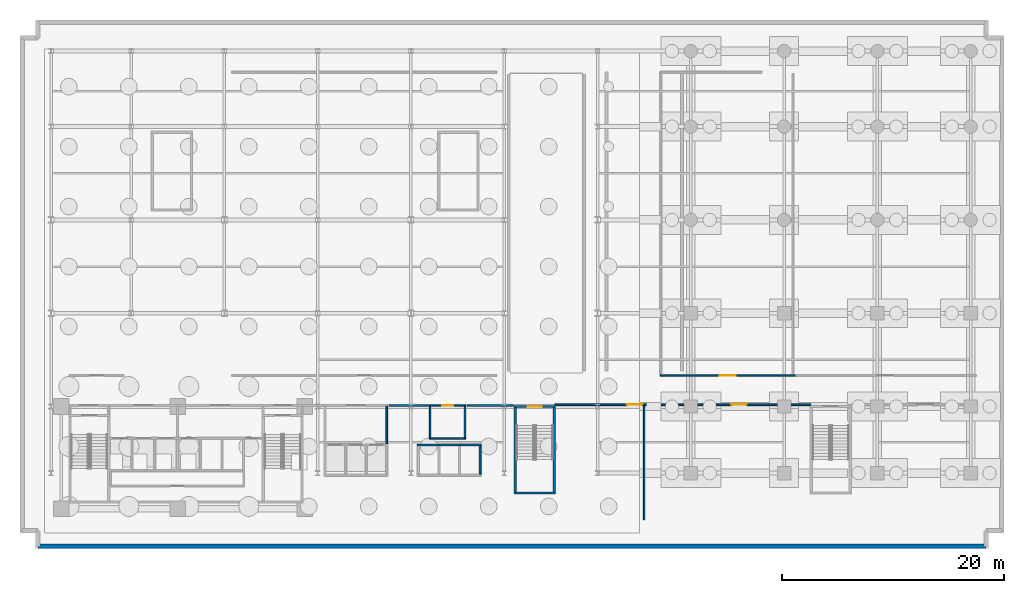
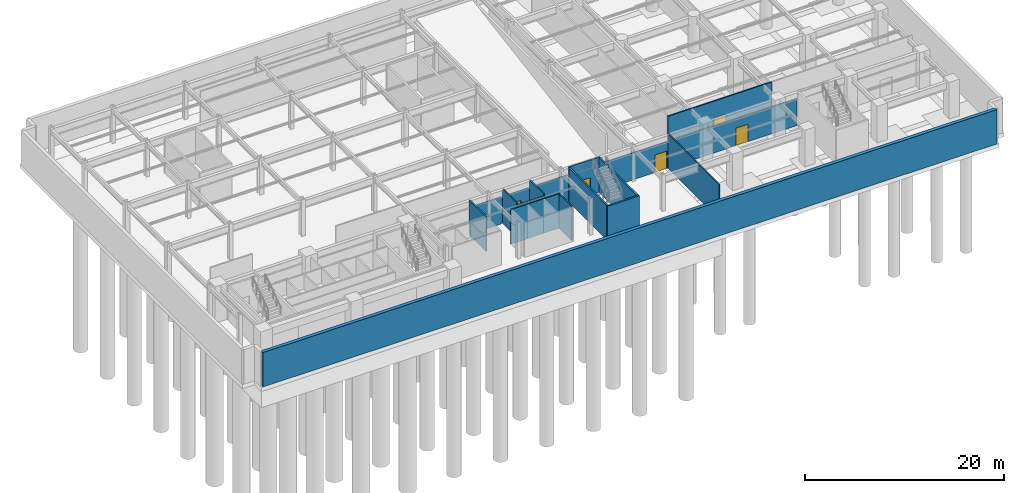
# One storey, part 10 of 14: 20 walls, 5 doors, 5 openings.
"""IFC4 building model written with IfcOpenShell, lengths in metres."""

from ifc_helpers import new_model, si_unit, direction, frame, frame_2d, origin, place, context, subcontext, project, spatial, rectangle, extrude, material, layer, layer_set, type_object, element, fill, save


model = new_model("IFC4")

# Units and contexts
model_context = context("Model", 3, precision=1e-05, world=origin(), true_north=direction((0.0, 1.0)))
body_context = subcontext(model_context, "Body", "Model", "MODEL_VIEW")
ifc_project = project(units=[si_unit("LENGTHUNIT", "METRE"), si_unit("AREAUNIT", "SQUARE_METRE"), si_unit("VOLUMEUNIT", "CUBIC_METRE"), si_unit("PLANEANGLEUNIT", "RADIAN"), si_unit("MASSUNIT", "GRAM", prefix="KILO")], contexts=[model_context])

# Site, building, storey
site_placement = place(None, origin())
site = spatial("IfcSite", under=ifc_project, at=site_placement, CompositionType="ELEMENT")
building_placement = place(site_placement, origin())
building = spatial("IfcBuilding", under=site, at=building_placement, Name="Varnakote Quay Hospital", CompositionType="ELEMENT")
storey_placement = place(building_placement, frame((0.0, 0.0, -9.0)))
storey = spatial("IfcBuildingStorey", under=building, at=storey_placement, Name="B02", CompositionType="ELEMENT", Elevation=-9.0)

# Walls
ifc_material_1 = material(Name="Concrete N40 (f'c 40 MPa)", Category="concrete")
ifc_layer_1 = layer(ifc_material_1, 0.39990234375)
ifc_layer_set_1 = layer_set([ifc_layer_1], Name="Concrete N40 (f'c 40 MPa)")
wall_type_1 = type_object("IfcWallType", Name="WL-BSMT-RET-400", PredefinedType="STANDARD", material=ifc_layer_set_1)
wall_1_placement = place(storey_placement, frame((0.0, -0.60009765625, 0.0), z_axis=(0.0, 0.0, 1.0), x_axis=(1.0, 0.0, 0.0)))
element("IfcWall", 1, at=wall_1_placement, inside=storey, type_object=wall_type_1, Name="B02 Tanked Basement Retaining Wall", PredefinedType="STANDARD", context=body_context, shape_type="SweptSolid", body=[
    extrude(rectangle(XDim=85.39990234375, YDim=0.39990234375, at=frame_2d((42.699951171875, 0.0))), origin(), (0.0, 0.0, 1.0), 4.239990234375),
])
ifc_material_2 = material(Name="Fire-rated acoustic gypsum stud wall", Category="gypsum")
ifc_layer_2 = layer(ifc_material_2, 0.159912109375)
ifc_layer_set_2 = layer_set([ifc_layer_2], Name="Fire-rated acoustic gypsum stud wall")
wall_type_2 = type_object("IfcWallType", Name="WL-COMP-160", PredefinedType="PARTITIONING", material=ifc_layer_set_2)
wall_2_placement = place(storey_placement, frame((31.429931640625, 8.610107421875, 0.0), z_axis=(0.0, 0.0, 1.0), x_axis=(0.0, 1.0, 0.0)))
element("IfcWall", 2, at=wall_2_placement, inside=storey, type_object=wall_type_2, Name="B02 Low-Rise Lift Lobby East Wall", PredefinedType="PARTITIONING", context=body_context, shape_type="SweptSolid", body=[
    extrude(rectangle(XDim=3.389892578125, YDim=0.159912109375, at=frame_2d((1.69482421875, 0.0))), origin(), (0.0, 0.0, 1.0), 4.239990234375),
])
wall_3_placement = place(storey_placement, frame((31.6298828125, 12.080078125, 0.0), z_axis=(0.0, 0.0, 1.0), x_axis=(1.0, 0.0, 0.0)))
element("IfcWall", 3, at=wall_3_placement, inside=storey, type_object=wall_type_2, Name="B02 Corridor South Gap Wall", PredefinedType="PARTITIONING", context=body_context, shape_type="SweptSolid", body=[
    extrude(rectangle(XDim=3.510498046875, YDim=0.159912109375, at=frame_2d((1.75537109375, 0.0))), origin(), (0.0, 0.0, 1.0), 3.304931640625),
])
wall_4_placement = place(storey_placement, frame((38.659423828125, 12.080078125, 0.0), z_axis=(0.0, 0.0, 1.0), x_axis=(1.0, 0.0, 0.0)))
element("IfcWall", 4, at=wall_4_placement, inside=storey, type_object=wall_type_2, Name="B02 Corridor South Gap Wall", PredefinedType="PARTITIONING", context=body_context, shape_type="SweptSolid", body=[
    extrude(rectangle(XDim=4.1513671875, YDim=0.159912109375, at=frame_2d((2.07568359375, 0.0))), origin(), (0.0, 0.0, 1.0), 3.304931640625),
])
ifc_material_3 = material(Name="Concrete N50 (f'c 50 MPa)", Category="concrete")
ifc_layer_3 = layer(ifc_material_3, 0.159912109375)
ifc_layer_set_3 = layer_set([ifc_layer_3], Name="Concrete N50 (f'c 50 MPa)")
wall_type_3 = type_object("IfcWallType", Name="WL-SHAFT-N50-160", PredefinedType="SHEAR", material=ifc_layer_set_3)
wall_5_placement = place(storey_placement, frame((39.830078125, 5.89990234375, 0.0), z_axis=(0.0, 0.0, 1.0), x_axis=(0.0, 1.0, 0.0)))
element("IfcWall", 5, at=wall_5_placement, inside=storey, type_object=wall_type_3, Name="B02 MID Lift Bank East Shear Wall", PredefinedType="SHEAR", context=body_context, shape_type="SweptSolid", body=[
    extrude(rectangle(XDim=2.550048828125, YDim=0.159912109375, at=frame_2d((1.27490234375, 0.0))), origin(), (0.0, 0.0, 1.0), 4.239990234375),
])
wall_6_placement = place(storey_placement, frame((34.18994140625, 8.530029296875, 0.0), z_axis=(0.0, 0.0, 1.0), x_axis=(1.0, 0.0, 0.0)))
element("IfcWall", 6, at=wall_6_placement, inside=storey, type_object=wall_type_3, Name="B02 LF-PM1 Hoistway Front Wall", PredefinedType="SHEAR", context=body_context, shape_type="SweptSolid", body=[
    extrude(rectangle(XDim=1.93505859375, YDim=0.159912109375, at=frame_2d((0.967529296875, 0.0))), origin(), (0.0, 0.0, 1.0), 4.239990234375),
])
wall_7_placement = place(storey_placement, frame((36.125, 8.530029296875, 0.0), z_axis=(0.0, 0.0, 1.0), x_axis=(1.0, 0.0, 0.0)))
element("IfcWall", 7, at=wall_7_placement, inside=storey, type_object=wall_type_3, Name="B02 LF-PM2 Hoistway Front Wall", PredefinedType="SHEAR", context=body_context, shape_type="SweptSolid", body=[
    extrude(rectangle(XDim=1.85009765625, YDim=0.159912109375, at=frame_2d((0.925048828125, 0.0))), origin(), (0.0, 0.0, 1.0), 4.239990234375),
])
wall_8_placement = place(storey_placement, frame((37.97509765625, 8.530029296875, 0.0), z_axis=(0.0, 0.0, 1.0), x_axis=(1.0, 0.0, 0.0)))
element("IfcWall", 8, at=wall_8_placement, inside=storey, type_object=wall_type_3, Name="B02 LF-PM3 Hoistway Front Wall", PredefinedType="SHEAR", context=body_context, shape_type="SweptSolid", body=[
    extrude(rectangle(XDim=1.934814453125, YDim=0.159912109375, at=frame_2d((0.96728515625, 0.0))), origin(), (0.0, 0.0, 1.0), 4.239990234375),
])
ifc_material_4 = material(Name="Concrete N50 (f'c 50 MPa)", Category="concrete")
ifc_layer_4 = layer(ifc_material_4, 0.199951171875)
ifc_layer_set_4 = layer_set([ifc_layer_4], Name="Concrete N50 (f'c 50 MPa)")
wall_type_4 = type_object("IfcWallType", Name="WL-SHAFT-N50-200", PredefinedType="SHEAR", material=ifc_layer_set_4)
wall_9_placement = place(storey_placement, frame((42.89990234375, 4.199951171875, 0.0), z_axis=(0.0, 0.0, 1.0), x_axis=(1.0, 0.0, 0.0)))
element("IfcWall", 9, at=wall_9_placement, inside=storey, type_object=wall_type_4, Name="B02 Stair ST3 South Shaft Wall", PredefinedType="SHEAR", context=body_context, shape_type="SweptSolid", body=[
    extrude(rectangle(XDim=3.7001953125, YDim=0.199951171875, at=frame_2d((1.85009765625, 0.0))), origin(), (0.0, 0.0, 1.0), 4.239990234375),
])
for number, where, z_axis, x_axis, name in (
    (10, (43.0, 4.300048828125, 0.0), (0.0, 0.0, 1.0), (0.0, 1.0, 0.0), "B02 Stair ST3 West Shaft Wall"),
    (11, (46.5, 4.300048828125, 0.0), (0.0, 0.0, 1.0), (0.0, 1.0, 0.0), "B02 Stair ST3 East Shaft Wall"),
):
    element("IfcWall", number, at=place(storey_placement, frame(where, z_axis=z_axis, x_axis=x_axis)), inside=storey, type_object=wall_type_4, Name=name, PredefinedType="SHEAR", context=body_context, shape_type="SweptSolid", body=[
        extrude(rectangle(XDim=7.599853515625, YDim=0.199951171875, at=frame_2d((3.7998046875, 0.0))), origin(), (0.0, 0.0, 1.0), 4.239990234375),
    ])

# Wall, opening, door
wall_10_placement = place(storey_placement, frame((42.89990234375, 12.0, 0.0), z_axis=(0.0, 0.0, 1.0), x_axis=(1.0, 0.0, 0.0)))
wall_10 = element("IfcWall", 12, at=wall_10_placement, inside=storey, type_object=wall_type_4, Name="B02 Stair ST3 Exit Wall", PredefinedType="SHEAR", context=body_context, shape_type="SweptSolid", body=[
    extrude(rectangle(XDim=3.7001953125, YDim=0.199951171875, at=frame_2d((1.85009765625, 0.0))), origin(), (0.0, 0.0, 1.0), 4.239990234375),
])
opening_1_placement = place(wall_10_placement, frame((1.199951171875, 0.0, 0.0)))
opening_1 = element("IfcOpeningElement", 13, at=opening_1_placement, cuts=wall_10, Name="Opening D-ST3-B02", PredefinedType="OPENING", context=body_context, shape_type="SweptSolid", body=[
    extrude(rectangle(XDim=1.300048828125, YDim=2.14990234375, at=frame_2d((0.64990234375, 1.074951171875))), frame((0.0, 0.10986328125, 0.0), z_axis=(0.0, -1.0, 0.0), x_axis=(1.0, 0.0, 0.0)), (0.0, 0.0, 1.0), 0.219970703125),
])
ifc_material_5 = material(Name="Fire-rated ceramic-glazed timber exit door", Category="wood")
door_type_1 = type_object("IfcDoorType", Name="DR-STAIR-FD60S-1300x2150", OperationType="NOTDEFINED", PredefinedType="DOOR", material=ifc_material_5)
door_1_placement = place(opening_1_placement, origin())
door_1 = element("IfcDoor", 14, at=door_1_placement, inside=storey, type_object=door_type_1, Name="B02 Stair ST3 Fire Exit Door", OperationType="SINGLE_SWING_RIGHT", OverallHeight=2.14990234375, OverallWidth=1.300048828125, PredefinedType="DOOR", context=body_context, shape_type="SweptSolid", body=[
    extrude(rectangle(XDim=1.300048828125, YDim=2.14990234375, at=frame_2d((0.64990234375, 1.074951171875))), frame((0.0, 0.02490234375, 0.0), z_axis=(0.0, -1.0, 0.0), x_axis=(1.0, 0.0, 0.0)), (0.0, 0.0, 1.0), 0.050048828125),
])
fill(opening_1, door_1)

# Walls
ifc_material_6 = material(Name="Smoke-proof clinical partition", Category="gypsum")
ifc_layer_5 = layer(ifc_material_6, 0.135009765625)
ifc_layer_set_5 = layer_set([ifc_layer_5], Name="Smoke-proof clinical partition")
wall_type_5 = type_object("IfcWallType", Name="WL-SMOKE-135", PredefinedType="PARTITIONING", material=ifc_layer_set_5)
wall_11_placement = place(storey_placement, frame((54.60009765625, 1.800048828125, 0.0), z_axis=(0.0, 0.0, 1.0), x_axis=(0.0, 1.0, 0.0)))
element("IfcWall", 15, at=wall_11_placement, inside=storey, type_object=wall_type_5, Name="B02 Clinical Interior Partition", PredefinedType="PARTITIONING", context=body_context, shape_type="SweptSolid", body=[
    extrude(rectangle(XDim=10.294921875, YDim=0.135009765625, at=frame_2d((5.1474609375, 0.0))), origin(), (0.0, 0.0, 1.0), 4.239990234375),
])
ifc_material_7 = material(Name="Fire-rated clinical gypsum partition", Category="gypsum")
ifc_layer_6 = layer(ifc_material_7, 0.139892578125)
ifc_layer_set_6 = layer_set([ifc_layer_6], Name="Fire-rated clinical gypsum partition")
wall_type_6 = type_object("IfcWallType", Name="WL-WARD-140", PredefinedType="PARTITIONING", material=ifc_layer_set_6)
wall_12_placement = place(storey_placement, frame((35.260009765625, 9.1298828125, 0.0), z_axis=(0.0, 0.0, 1.0), x_axis=(1.0, 0.0, 0.0)))
element("IfcWall", 16, at=wall_12_placement, inside=storey, type_object=wall_type_6, Name="B02 Floor Unisex Accessible WC S Wall", PredefinedType="PARTITIONING", context=body_context, shape_type="SweptSolid", body=[
    extrude(rectangle(XDim=3.280029296875, YDim=0.139892578125, at=frame_2d((1.64013671875, 0.0))), origin(), (0.0, 0.0, 1.0), 4.008056640625),
])

# Wall, opening, door
wall_13_placement = place(storey_placement, frame((35.260009765625, 12.070068359375, 0.0), z_axis=(0.0, 0.0, 1.0), x_axis=(1.0, 0.0, 0.0)))
wall_13 = element("IfcWall", 17, at=wall_13_placement, inside=storey, type_object=wall_type_6, Name="B02 Floor Unisex Accessible WC N Wall", PredefinedType="PARTITIONING", context=body_context, shape_type="SweptSolid", body=[
    extrude(rectangle(XDim=3.280029296875, YDim=0.139892578125, at=frame_2d((1.64013671875, 0.0))), origin(), (0.0, 0.0, 1.0), 3.304931640625),
])
opening_2_placement = place(wall_13_placement, frame((1.14990234375, 0.0, 0.0)))
opening_2 = element("IfcOpeningElement", 18, at=opening_2_placement, cuts=wall_13, Name="Opening D-B02-EW01", PredefinedType="OPENING", context=body_context, shape_type="SweptSolid", body=[
    extrude(rectangle(XDim=0.97998046875, YDim=2.10009765625, at=frame_2d((0.489990234375, 1.050048828125))), frame((0.0, 0.079833984375, 0.0), z_axis=(0.0, -1.0, 0.0), x_axis=(1.0, 0.0, 0.0)), (0.0, 0.0, 1.0), 0.159912109375),
])
ifc_material_8 = material(Name="Accessible sanitary compartment door")
door_type_2 = type_object("IfcDoorType", Name="DR-WC-980x2100", OperationType="NOTDEFINED", PredefinedType="DOOR", material=ifc_material_8)
door_2_placement = place(opening_2_placement, origin())
door_2 = element("IfcDoor", 19, at=door_2_placement, inside=storey, type_object=door_type_2, Name="B02 Floor Unisex Accessible WC Door", OperationType="SINGLE_SWING_RIGHT", OverallHeight=2.10009765625, OverallWidth=0.97998046875, PredefinedType="DOOR", context=body_context, shape_type="SweptSolid", body=[
    extrude(rectangle(XDim=0.97998046875, YDim=2.10009765625, at=frame_2d((0.489990234375, 1.050048828125))), frame((0.0, 0.02490234375, 0.0), z_axis=(0.0, -1.0, 0.0), x_axis=(1.0, 0.0, 0.0)), (0.0, 0.0, 1.0), 0.050048828125),
])
fill(opening_2, door_2)

# Walls
for number, where, z_axis, x_axis, name in (
    (20, (35.330078125, 9.199951171875, 0.0), (0.0, 0.0, 1.0), (0.0, 1.0, 0.0), "B02 Floor Unisex Accessible WC W Wall"),
    (21, (38.469970703125, 9.199951171875, 0.0), (0.0, 0.0, 1.0), (0.0, 1.0, 0.0), "B02 Floor Unisex Accessible WC E Wall"),
):
    element("IfcWall", number, at=place(storey_placement, frame(where, z_axis=z_axis, x_axis=x_axis)), inside=storey, type_object=wall_type_6, Name=name, PredefinedType="PARTITIONING", context=body_context, shape_type="SweptSolid", body=[
        extrude(rectangle(XDim=2.800048828125, YDim=0.139892578125, at=frame_2d((1.39990234375, 0.0))), origin(), (0.0, 0.0, 1.0), 4.239990234375),
    ])

# Wall, opening, door
ifc_material_9 = material(Name="Fire-rated clinical gypsum partition", Category="gypsum")
ifc_layer_7 = layer(ifc_material_9, 0.14990234375)
ifc_layer_set_7 = layer_set([ifc_layer_7], Name="Fire-rated clinical gypsum partition")
wall_type_7 = type_object("IfcWallType", Name="WL-WARD-150", PredefinedType="PARTITIONING", material=ifc_layer_set_7)
wall_14_placement = place(storey_placement, frame((46.571533203125, 12.159912109375, 0.0), z_axis=(0.0, 0.0, 1.0), x_axis=(1.0, 0.0, 0.0)))
wall_14 = element("IfcWall", 22, at=wall_14_placement, inside=storey, type_object=wall_type_7, Name="B02 Clinical Interior Partition", PredefinedType="PARTITIONING", context=body_context, shape_type="SweptSolid", body=[
    extrude(rectangle(XDim=8.20703125, YDim=0.14990234375, at=frame_2d((4.103515625, 0.0))), origin(), (0.0, 0.0, 1.0), 3.304931640625),
])
opening_3_placement = place(wall_14_placement, frame((6.44677734375, 0.0, 0.0)))
opening_3 = element("IfcOpeningElement", 23, at=opening_3_placement, cuts=wall_14, Name="Opening D-B02-CWTR", PredefinedType="OPENING", context=body_context, shape_type="SweptSolid", body=[
    extrude(rectangle(XDim=1.39990234375, YDim=2.14990234375, at=frame_2d((0.699951171875, 1.074951171875))), frame((0.0, 0.0849609375, 0.0), z_axis=(0.0, -1.0, 0.0), x_axis=(1.0, 0.0, 0.0)), (0.0, 0.0, 1.0), 0.169921875),
])
ifc_material_10 = material(Name="Fire-rated acoustic plant room door")
door_type_3 = type_object("IfcDoorType", Name="DR-PLANT-FD60-1400x2150", OperationType="NOTDEFINED", PredefinedType="DOOR", material=ifc_material_10)
door_3_placement = place(opening_3_placement, origin())
door_3 = element("IfcDoor", 24, at=door_3_placement, inside=storey, type_object=door_type_3, Name="B02 Potable & Fire Sprinkler Break Tank Plant Door", OperationType="SINGLE_SWING_LEFT", OverallHeight=2.14990234375, OverallWidth=1.39990234375, PredefinedType="DOOR", context=body_context, shape_type="SweptSolid", body=[
    extrude(rectangle(XDim=1.39990234375, YDim=2.14990234375, at=frame_2d((0.699951171875, 1.074951171875))), frame((0.0, 0.02490234375, 0.0), z_axis=(0.0, -1.0, 0.0), x_axis=(1.0, 0.0, 0.0)), (0.0, 0.0, 1.0), 0.050048828125),
])
fill(opening_3, door_3)

wall_15_placement = place(storey_placement, frame((54.780517578125, 12.159912109375, 0.0), z_axis=(0.0, 0.0, 1.0), x_axis=(1.0, 0.0, 0.0)))
wall_15 = element("IfcWall", 25, at=wall_15_placement, inside=storey, type_object=wall_type_7, Name="B02 Clinical Interior Partition", PredefinedType="PARTITIONING", context=body_context, shape_type="SweptSolid", body=[
    extrude(rectangle(XDim=14.798095703125, YDim=0.14990234375, at=frame_2d((7.39892578125, 0.0))), origin(), (0.0, 0.0, 1.0), 3.304931640625),
])
opening_4_placement = place(wall_15_placement, frame((7.673828125, 0.0, 0.0)))
opening_4 = element("IfcOpeningElement", 26, at=opening_4_placement, cuts=wall_15, Name="Opening D-B02-CPMP", PredefinedType="OPENING", context=body_context, shape_type="SweptSolid", body=[
    extrude(rectangle(XDim=1.39990234375, YDim=2.14990234375, at=frame_2d((0.699951171875, 1.074951171875))), frame((0.0, 0.0849609375, 0.0), z_axis=(0.0, -1.0, 0.0), x_axis=(1.0, 0.0, 0.0)), (0.0, 0.0, 1.0), 0.169921875),
])
door_4_placement = place(opening_4_placement, origin())
door_4 = element("IfcDoor", 27, at=door_4_placement, inside=storey, type_object=door_type_3, Name="B02 Domestic & Hydrant Pump Plant Door", OperationType="SINGLE_SWING_RIGHT", OverallHeight=2.14990234375, OverallWidth=1.39990234375, PredefinedType="DOOR", context=body_context, shape_type="SweptSolid", body=[
    extrude(rectangle(XDim=1.39990234375, YDim=2.14990234375, at=frame_2d((0.699951171875, 1.074951171875))), frame((0.0, 0.02490234375, 0.0), z_axis=(0.0, -1.0, 0.0), x_axis=(1.0, 0.0, 0.0)), (0.0, 0.0, 1.0), 0.050048828125),
])
fill(opening_4, door_4)

wall_16_placement = place(storey_placement, frame((68.194580078125, 14.800048828125, 0.0), z_axis=(0.0, 0.0, 1.0), x_axis=(-1.0, 0.0, 0.0)))
wall_16 = element("IfcWall", 28, at=wall_16_placement, inside=storey, type_object=wall_type_7, Name="B02 Clinical Interior Partition", PredefinedType="PARTITIONING", context=body_context, shape_type="SweptSolid", body=[
    extrude(rectangle(XDim=12.13916015625, YDim=0.14990234375, at=frame_2d((6.069580078125, 0.0))), origin(), (0.0, 0.0, 1.0), 4.239990234375),
])
opening_5_placement = place(wall_16_placement, frame((5.36962890625, 0.0, 0.0)))
opening_5 = element("IfcOpeningElement", 29, at=opening_5_placement, cuts=wall_16, Name="Opening D-B02-CSUB", PredefinedType="OPENING", context=body_context, shape_type="SweptSolid", body=[
    extrude(rectangle(XDim=1.39990234375, YDim=2.14990234375, at=frame_2d((0.699951171875, 1.074951171875))), frame((0.0, 0.0849609375, 0.0), z_axis=(0.0, -1.0, 0.0), x_axis=(1.0, 0.0, 0.0)), (0.0, 0.0, 1.0), 0.169921875),
])
door_5_placement = place(opening_5_placement, origin())
door_5 = element("IfcDoor", 30, at=door_5_placement, inside=storey, type_object=door_type_3, Name="B02 HV Substation & Switchgear Plant Door", OperationType="SINGLE_SWING_RIGHT", OverallHeight=2.14990234375, OverallWidth=1.39990234375, PredefinedType="DOOR", context=body_context, shape_type="SweptSolid", body=[
    extrude(rectangle(XDim=1.39990234375, YDim=2.14990234375, at=frame_2d((0.699951171875, 1.074951171875))), frame((0.0, 0.02490234375, 0.0), z_axis=(0.0, -1.0, 0.0), x_axis=(1.0, 0.0, 0.0)), (0.0, 0.0, 1.0), 0.050048828125),
])
fill(opening_5, door_5)

save(model, "model.ifc")
